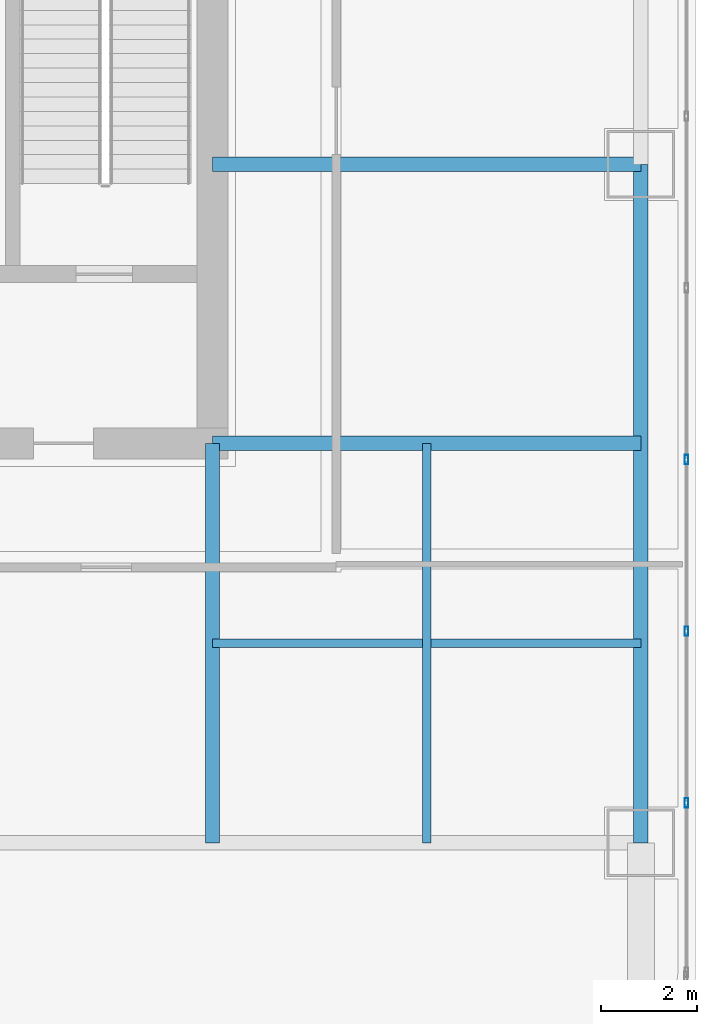
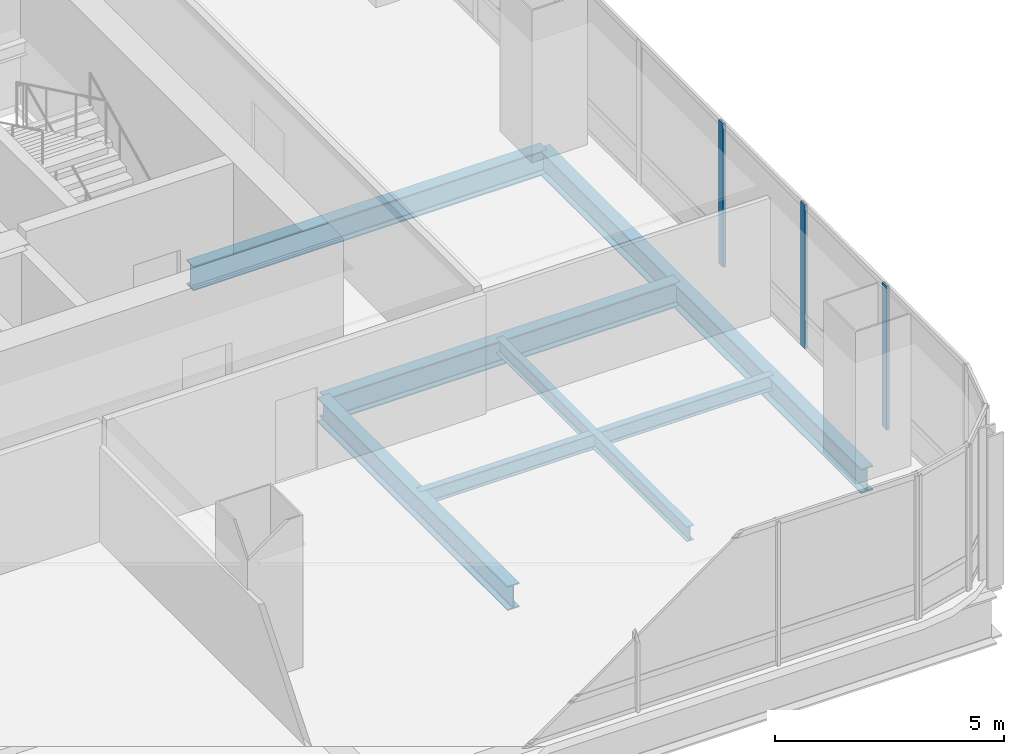
# One storey, part 14 of 36: 6 beams, 3 members, 1 element without a shape of its own.
"""IFC4 building model written with IfcOpenShell, lengths in metres."""

from ifc_helpers import new_model, si_unit, direction, frame, origin, origin_2d, place, context, subcontext, project, spatial, hollow_rectangle, i_section, extrude, material, material_profile, profile_set, type_object, element, aggregate, save


model = new_model("IFC4")

# Units and contexts
model_context = context("Model", 3, precision=1e-05, world=origin(), true_north=direction((0.0, 1.0)))
body_context = subcontext(model_context, "Body", "Model", "MODEL_VIEW")
ifc_project = project(units=[si_unit("LENGTHUNIT", "METRE"), si_unit("AREAUNIT", "SQUARE_METRE"), si_unit("VOLUMEUNIT", "CUBIC_METRE"), si_unit("PLANEANGLEUNIT", "RADIAN"), si_unit("MASSUNIT", "GRAM", prefix="KILO")], contexts=[model_context])

# Site, building, storey
site_placement = place(None, origin())
site = spatial("IfcSite", under=ifc_project, at=site_placement, CompositionType="ELEMENT")
building_placement = place(site_placement, origin())
building = spatial("IfcBuilding", under=site, at=building_placement, Name="Punatoya Terracotta Tower", CompositionType="ELEMENT")
storey_placement = place(building_placement, frame((0.0, 0.0, 180.300048828125)))
storey = spatial("IfcBuildingStorey", under=building, at=storey_placement, Name="L42", CompositionType="ELEMENT", Elevation=180.300048828125)

# Beams
ifc_material_1 = material(Name="Steel S355", Category="steel")
ifc_material_profile_1 = material_profile(ifc_material_1, i_section(OverallWidth=0.300048828125, OverallDepth=0.64990234375, WebThickness=0.01611328125, FlangeThickness=0.031005859375, FilletRadius=0.01806640625, at=origin_2d()))
ifc_profile_set_1 = profile_set([ifc_material_profile_1], Name="Steel S355")
beam_type_1 = type_object("IfcBeamType", Name="BM-PRI-650", PredefinedType="BEAM", material=ifc_profile_set_1)
beam_1_placement = place(storey_placement, frame((19.10009765625, -17.5, -0.545166015625), z_axis=(0.0, 1.0, 0.0), x_axis=(-1.0, 0.0, 0.0)))
element("IfcBeam", 1, at=beam_1_placement, inside=storey, type_object=beam_type_1, Name="BM-L42-RG-E1", PredefinedType="BEAM", context=body_context, shape_type="SweptSolid", body=[
    extrude(i_section(OverallWidth=0.300048828125, OverallDepth=0.64990234375, WebThickness=0.01611328125, FlangeThickness=0.031005859375, FilletRadius=0.01806640625, at=origin_2d()), origin(), (0.0, 0.0, 1.0), 14.10009765625),
])
for number, where, z_axis, x_axis, name in (
    (2, (10.199951171875, -9.199951171875, -0.545166015625), (1.0, 0.0, 0.0), (0.0, 1.0, 0.0), "BM-L42-PR-ES"),
    (3, (10.199951171875, -3.39990234375, -0.545166015625), (1.0, 0.0, 0.0), (0.0, 1.0, 0.0), "BM-L42-PR-ED"),
):
    element("IfcBeam", number, at=place(storey_placement, frame(where, z_axis=z_axis, x_axis=x_axis)), inside=storey, type_object=beam_type_1, Name=name, PredefinedType="BEAM", context=body_context, shape_type="SweptSolid", body=[
        extrude(i_section(OverallWidth=0.300048828125, OverallDepth=0.64990234375, WebThickness=0.01611328125, FlangeThickness=0.031005859375, FilletRadius=0.01806640625, at=origin_2d()), origin(), (0.0, 0.0, 1.0), 8.900146484375),
    ])
beam_2_placement = place(storey_placement, frame((10.199951171875, -17.5, -0.545166015625), z_axis=(0.0, 1.0, 0.0), x_axis=(-1.0, 0.0, 0.0)))
element("IfcBeam", 4, at=beam_2_placement, inside=storey, type_object=beam_type_1, Name="BM-L42-PR-S4", PredefinedType="BEAM", context=body_context, shape_type="SweptSolid", body=[
    extrude(i_section(OverallWidth=0.300048828125, OverallDepth=0.64990234375, WebThickness=0.01611328125, FlangeThickness=0.031005859375, FilletRadius=0.01806640625, at=origin_2d()), origin(), (0.0, 0.0, 1.0), 8.300048828125),
])
ifc_material_profile_2 = material_profile(ifc_material_1, i_section(OverallWidth=0.179931640625, OverallDepth=0.39990234375, WebThickness=0.008544921875, FlangeThickness=0.013427734375, FilletRadius=0.01806640625, at=origin_2d()))
ifc_profile_set_2 = profile_set([ifc_material_profile_2], Name="Steel S355")
beam_type_2 = type_object("IfcBeamType", Name="BM-SEC-400", PredefinedType="JOIST", material=ifc_profile_set_2)
beam_3_placement = place(storey_placement, frame((10.199951171875, -13.35009765625, -0.420166015625), z_axis=(1.0, 0.0, 0.0), x_axis=(0.0, 1.0, 0.0)))
element("IfcBeam", 5, at=beam_3_placement, inside=storey, type_object=beam_type_2, Name="BM-L42-SJS-2", PredefinedType="JOIST", context=body_context, shape_type="SweptSolid", body=[
    extrude(i_section(OverallWidth=0.179931640625, OverallDepth=0.39990234375, WebThickness=0.008544921875, FlangeThickness=0.013427734375, FilletRadius=0.01806640625, at=origin_2d()), origin(), (0.0, 0.0, 1.0), 8.900146484375),
])
beam_4_placement = place(storey_placement, frame((14.64990234375, -17.5, -0.420166015625), z_axis=(0.0, 1.0, 0.0), x_axis=(-1.0, 0.0, 0.0)))
element("IfcBeam", 6, at=beam_4_placement, inside=storey, type_object=beam_type_2, Name="BM-L42-SJE-1", PredefinedType="JOIST", context=body_context, shape_type="SweptSolid", body=[
    extrude(i_section(OverallWidth=0.179931640625, OverallDepth=0.39990234375, WebThickness=0.008544921875, FlangeThickness=0.013427734375, FilletRadius=0.01806640625, at=origin_2d()), origin(), (0.0, 0.0, 1.0), 8.300048828125),
])

# Curtain wall, members
ifc_material_2 = material(Name="Aluminium 6063-T6 + Double Low-E Glass", Category="aluminium")
curtain_wall_type = type_object("IfcCurtainWallType", Name="CW-M2", PredefinedType="NOTDEFINED", material=ifc_material_2)
curtain_wall_placement = place(storey_placement, origin())
curtain_wall = element("IfcCurtainWall", 7, at=curtain_wall_placement, inside=storey, type_object=curtain_wall_type, Name="L42 Curtain Wall CW-L42-E05-1", PredefinedType="NOTDEFINED")
ifc_material_3 = material(Name="Aluminium 6063-T6", Category="aluminium")
ifc_material_profile_3 = material_profile(ifc_material_3, hollow_rectangle(XDim=0.072021484375, YDim=0.195068359375, WallThickness=0.00439453125, at=origin_2d()))
ifc_profile_set_3 = profile_set([ifc_material_profile_3], Name="Aluminium 6063-T6")
member_type = type_object("IfcMemberType", Name="CW-MUL-M2", PredefinedType="MULLION", material=ifc_profile_set_3)
member_1_placement = place(storey_placement, frame((20.050048828125, -16.66943359375, 0.0), z_axis=(0.0, 0.0, 1.0), x_axis=(1.0, 0.0, 0.0)))
member_1 = element("IfcMember", 8, at=member_1_placement, type_object=member_type, Name="CW-L42-E05-1 Mullion 01", PredefinedType="MULLION", context=body_context, shape_type="SweptSolid", body=[
    extrude(hollow_rectangle(XDim=0.072021484375, YDim=0.195068359375, WallThickness=0.00439453125, at=origin_2d()), origin(), (0.0, 0.0, 1.0), 3.829833984375),
])
member_2_placement = place(storey_placement, frame((20.050048828125, -13.10205078125, 0.0), z_axis=(0.0, 0.0, 1.0), x_axis=(1.0, 0.0, 0.0)))
member_2 = element("IfcMember", 9, at=member_2_placement, type_object=member_type, Name="CW-L42-E05-1 Mullion 02", PredefinedType="MULLION", context=body_context, shape_type="SweptSolid", body=[
    extrude(hollow_rectangle(XDim=0.072021484375, YDim=0.195068359375, WallThickness=0.00439453125, at=origin_2d()), origin(), (0.0, 0.0, 1.0), 3.829833984375),
])
member_3_placement = place(storey_placement, frame((20.050048828125, -9.534912109375, 0.0), z_axis=(0.0, 0.0, 1.0), x_axis=(1.0, 0.0, 0.0)))
member_3 = element("IfcMember", 10, at=member_3_placement, type_object=member_type, Name="CW-L42-E05-1 Mullion 03", PredefinedType="MULLION", context=body_context, shape_type="SweptSolid", body=[
    extrude(hollow_rectangle(XDim=0.072021484375, YDim=0.195068359375, WallThickness=0.00439453125, at=origin_2d()), origin(), (0.0, 0.0, 1.0), 3.829833984375),
])
aggregate(curtain_wall, [member_1, member_2, member_3])

save(model, "model.ifc")
